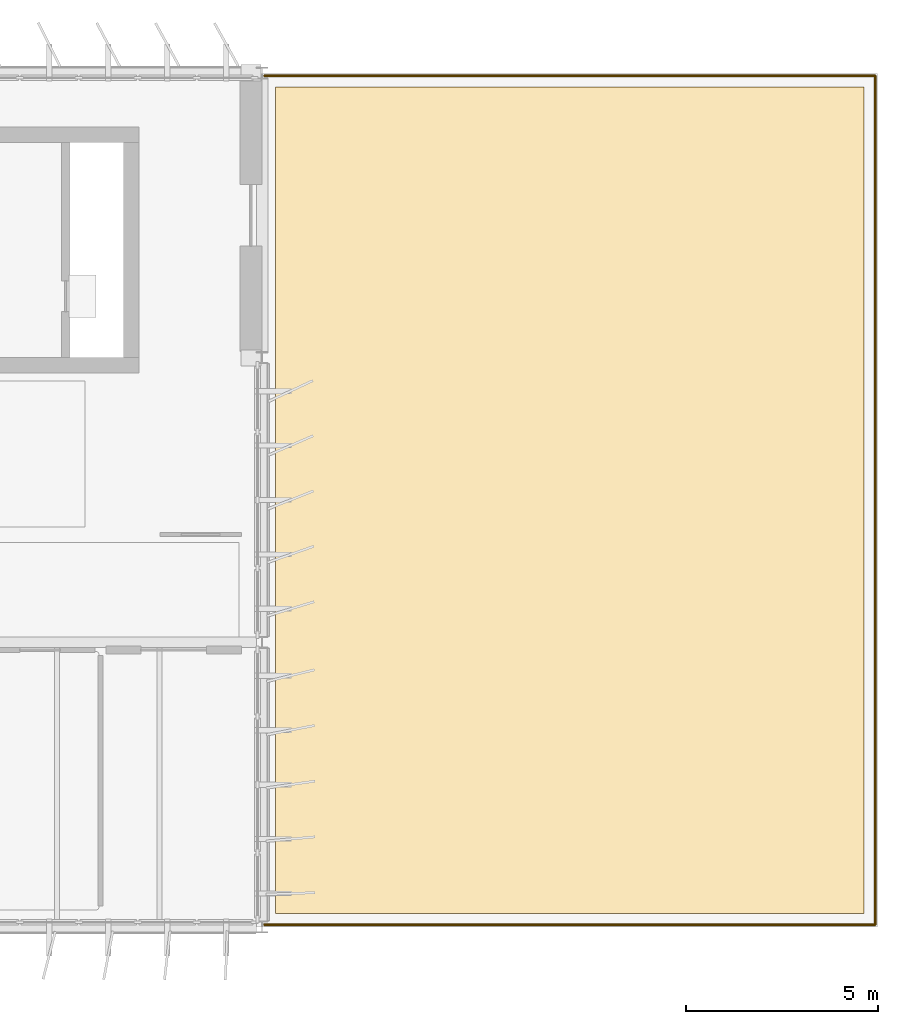
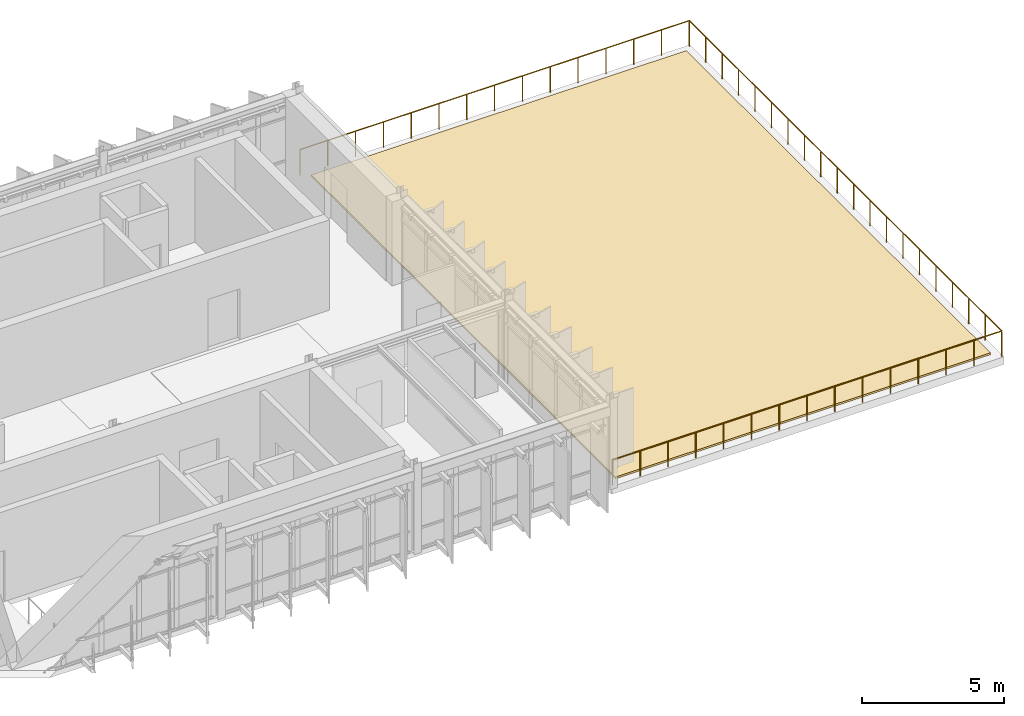
# One storey, part 20 of 20: 3 railings, 1 covering.
"""IFC4 building model written with IfcOpenShell, lengths in metres."""

from ifc_helpers import new_model, si_unit, direction, frame, origin, origin_2d, place, context, subcontext, project, spatial, polyline, circle, outline, extrude, material, layer, layer_set, type_object, element, save


model = new_model("IFC4")

# Units and contexts
model_context = context("Model", 3, precision=1e-05, world=origin(), true_north=direction((0.0, 1.0)))
body_context = subcontext(model_context, "Body", "Model", "MODEL_VIEW")
ifc_project = project(units=[si_unit("LENGTHUNIT", "METRE"), si_unit("AREAUNIT", "SQUARE_METRE"), si_unit("VOLUMEUNIT", "CUBIC_METRE"), si_unit("PLANEANGLEUNIT", "RADIAN"), si_unit("MASSUNIT", "GRAM", prefix="KILO")], contexts=[model_context])

# Site, building, storey
site_placement = place(None, origin())
site = spatial("IfcSite", under=ifc_project, at=site_placement, CompositionType="ELEMENT")
building_placement = place(site_placement, origin())
building = spatial("IfcBuilding", under=site, at=building_placement, Name="Valkorina Park Police Headquarters", CompositionType="ELEMENT")
storey_placement = place(building_placement, frame((0.0, 0.0, 31.10009765625)))
storey = spatial("IfcBuildingStorey", under=building, at=storey_placement, Name="L08", CompositionType="ELEMENT", Elevation=31.10009765625)

# Covering
ifc_material_1 = material(Name="Planted green roof substrate")
ifc_layer = layer(ifc_material_1, 0.080078125)
ifc_layer_set = layer_set([ifc_layer], Name="Planted green roof substrate")
covering_type = type_object("IfcCoveringType", Name="COV-ROOF-GREEN", PredefinedType="ROOFING", material=ifc_layer_set)
covering_placement = place(storey_placement, origin())
element("IfcCovering", 1, at=covering_placement, inside=storey, type_object=covering_type, Name="L08 Executive Park-View Terrace Planted Substrate", PredefinedType="ROOFING", context=body_context, shape_type="SweptSolid", body=[
    extrude(outline(polyline([(72.449951171875, 58.842041015625), (57.14990234375, 58.842041015625), (57.14990234375, 37.35009765625), (72.449951171875, 37.35009765625), (72.449951171875, 58.842041015625)])), origin(), (0.0, 0.0, 1.0), 0.079833984375),
])

# Railings
ifc_material_2 = material(Name="Stainless steel EN 1.4404", Category="steel")
railing_type = type_object("IfcRailingType", Name="RL-GUARD-EXT-1100", PredefinedType="BALUSTRADE", material=ifc_material_2)
railing_1_placement = place(storey_placement, frame((56.860107421875, 37.06005859375, 0.0)))
element("IfcRailing", 2, at=railing_1_placement, inside=storey, type_object=railing_type, Name="TERR-L08-EXEC Perimeter Balustrade Guard 14", PredefinedType="BALUSTRADE", context=body_context, shape_type="SweptSolid", body=[
    extrude(circle(Radius=0.02392578125, at=origin_2d()), frame((0.0, 0.0, 1.09619140625), z_axis=(1.0, 0.0, 0.0), x_axis=(0.0, 1.0, 0.0)), (0.0, 0.0, 1.0), 15.8798828125),
    extrude(circle(Radius=0.02099609375, at=origin_2d()), origin(), (0.0, 0.0, 1.0), 1.072021484375),
    extrude(circle(Radius=0.02099609375, at=origin_2d()), frame((1.13427734375, 0.0, 0.0)), (0.0, 0.0, 1.0), 1.072021484375),
    extrude(circle(Radius=0.02099609375, at=origin_2d()), frame((2.2685546875, 0.0, 0.0)), (0.0, 0.0, 1.0), 1.072021484375),
    extrude(circle(Radius=0.02099609375, at=origin_2d()), frame((3.40283203125, 0.0, 0.0)), (0.0, 0.0, 1.0), 1.072021484375),
    extrude(circle(Radius=0.02099609375, at=origin_2d()), frame((4.537109375, 0.0, 0.0)), (0.0, 0.0, 1.0), 1.072021484375),
    extrude(circle(Radius=0.02099609375, at=origin_2d()), frame((5.67138671875, 0.0, 0.0)), (0.0, 0.0, 1.0), 1.072021484375),
    extrude(circle(Radius=0.02099609375, at=origin_2d()), frame((6.8056640625, 0.0, 0.0)), (0.0, 0.0, 1.0), 1.072021484375),
    extrude(circle(Radius=0.02099609375, at=origin_2d()), frame((7.93994140625, 0.0, 0.0)), (0.0, 0.0, 1.0), 1.072021484375),
    extrude(circle(Radius=0.02099609375, at=origin_2d()), frame((9.07421875, 0.0, 0.0)), (0.0, 0.0, 1.0), 1.072021484375),
    extrude(circle(Radius=0.02099609375, at=origin_2d()), frame((10.20849609375, 0.0, 0.0)), (0.0, 0.0, 1.0), 1.072021484375),
    extrude(circle(Radius=0.02099609375, at=origin_2d()), frame((11.3427734375, 0.0, 0.0)), (0.0, 0.0, 1.0), 1.072021484375),
    extrude(circle(Radius=0.02099609375, at=origin_2d()), frame((12.47705078125, 0.0, 0.0)), (0.0, 0.0, 1.0), 1.072021484375),
    extrude(circle(Radius=0.02099609375, at=origin_2d()), frame((13.611328125, 0.0, 0.0)), (0.0, 0.0, 1.0), 1.072021484375),
    extrude(circle(Radius=0.02099609375, at=origin_2d()), frame((14.74560546875, 0.0, 0.0)), (0.0, 0.0, 1.0), 1.072021484375),
    extrude(circle(Radius=0.02099609375, at=origin_2d()), frame((15.8798828125, 0.0, 0.0)), (0.0, 0.0, 1.0), 1.072021484375),
])
railing_2_placement = place(storey_placement, frame((72.739990234375, 37.06005859375, 0.0)))
element("IfcRailing", 3, at=railing_2_placement, inside=storey, type_object=railing_type, Name="TERR-L08-EXEC Perimeter Balustrade Guard 15", PredefinedType="BALUSTRADE", context=body_context, shape_type="SweptSolid", body=[
    extrude(circle(Radius=0.02392578125, at=origin_2d()), frame((0.0, 0.0, 1.09619140625), z_axis=(0.0, 1.0, 0.0), x_axis=(-1.0, 0.0, 0.0)), (0.0, 0.0, 1.0), 22.072021484375),
    extrude(circle(Radius=0.02099609375, at=origin_2d()), origin(), (0.0, 0.0, 1.0), 1.072021484375),
    extrude(circle(Radius=0.02099609375, at=origin_2d()), frame((0.0, 1.16162109375, 0.0)), (0.0, 0.0, 1.0), 1.072021484375),
    extrude(circle(Radius=0.02099609375, at=origin_2d()), frame((0.0, 2.323486328125, 0.0)), (0.0, 0.0, 1.0), 1.072021484375),
    extrude(circle(Radius=0.02099609375, at=origin_2d()), frame((0.0, 3.485107421875, 0.0)), (0.0, 0.0, 1.0), 1.072021484375),
    extrude(circle(Radius=0.02099609375, at=origin_2d()), frame((0.0, 4.646728515625, 0.0)), (0.0, 0.0, 1.0), 1.072021484375),
    extrude(circle(Radius=0.02099609375, at=origin_2d()), frame((0.0, 5.808349609375, 0.0)), (0.0, 0.0, 1.0), 1.072021484375),
    extrude(circle(Radius=0.02099609375, at=origin_2d()), frame((0.0, 6.97021484375, 0.0)), (0.0, 0.0, 1.0), 1.072021484375),
    extrude(circle(Radius=0.02099609375, at=origin_2d()), frame((0.0, 8.1318359375, 0.0)), (0.0, 0.0, 1.0), 1.072021484375),
    extrude(circle(Radius=0.02099609375, at=origin_2d()), frame((0.0, 9.29345703125, 0.0)), (0.0, 0.0, 1.0), 1.072021484375),
    extrude(circle(Radius=0.02099609375, at=origin_2d()), frame((0.0, 10.455078125, 0.0)), (0.0, 0.0, 1.0), 1.072021484375),
    extrude(circle(Radius=0.02099609375, at=origin_2d()), frame((0.0, 11.616943359375, 0.0)), (0.0, 0.0, 1.0), 1.072021484375),
    extrude(circle(Radius=0.02099609375, at=origin_2d()), frame((0.0, 12.778564453125, 0.0)), (0.0, 0.0, 1.0), 1.072021484375),
    extrude(circle(Radius=0.02099609375, at=origin_2d()), frame((0.0, 13.940185546875, 0.0)), (0.0, 0.0, 1.0), 1.072021484375),
    extrude(circle(Radius=0.02099609375, at=origin_2d()), frame((0.0, 15.101806640625, 0.0)), (0.0, 0.0, 1.0), 1.072021484375),
    extrude(circle(Radius=0.02099609375, at=origin_2d()), frame((0.0, 16.263671875, 0.0)), (0.0, 0.0, 1.0), 1.072021484375),
    extrude(circle(Radius=0.02099609375, at=origin_2d()), frame((0.0, 17.42529296875, 0.0)), (0.0, 0.0, 1.0), 1.072021484375),
    extrude(circle(Radius=0.02099609375, at=origin_2d()), frame((0.0, 18.5869140625, 0.0)), (0.0, 0.0, 1.0), 1.072021484375),
    extrude(circle(Radius=0.02099609375, at=origin_2d()), frame((0.0, 19.74853515625, 0.0)), (0.0, 0.0, 1.0), 1.072021484375),
    extrude(circle(Radius=0.02099609375, at=origin_2d()), frame((0.0, 20.910400390625, 0.0)), (0.0, 0.0, 1.0), 1.072021484375),
    extrude(circle(Radius=0.02099609375, at=origin_2d()), frame((0.0, 22.072021484375, 0.0)), (0.0, 0.0, 1.0), 1.072021484375),
])
railing_3_placement = place(storey_placement, frame((72.739990234375, 59.132080078125, 0.0)))
element("IfcRailing", 4, at=railing_3_placement, inside=storey, type_object=railing_type, Name="TERR-L08-EXEC Perimeter Balustrade Guard 16", PredefinedType="BALUSTRADE", context=body_context, shape_type="SweptSolid", body=[
    extrude(circle(Radius=0.02392578125, at=origin_2d()), frame((0.0, 0.0, 1.09619140625), z_axis=(-1.0, 0.0, 0.0), x_axis=(0.0, -1.0, 0.0)), (0.0, 0.0, 1.0), 15.8798828125),
    extrude(circle(Radius=0.02099609375, at=origin_2d()), origin(), (0.0, 0.0, 1.0), 1.072021484375),
    extrude(circle(Radius=0.02099609375, at=origin_2d()), frame((-1.13427734375, 0.0, 0.0)), (0.0, 0.0, 1.0), 1.072021484375),
    extrude(circle(Radius=0.02099609375, at=origin_2d()), frame((-2.2685546875, 0.0, 0.0)), (0.0, 0.0, 1.0), 1.072021484375),
    extrude(circle(Radius=0.02099609375, at=origin_2d()), frame((-3.40283203125, 0.0, 0.0)), (0.0, 0.0, 1.0), 1.072021484375),
    extrude(circle(Radius=0.02099609375, at=origin_2d()), frame((-4.537109375, 0.0, 0.0)), (0.0, 0.0, 1.0), 1.072021484375),
    extrude(circle(Radius=0.02099609375, at=origin_2d()), frame((-5.67138671875, 0.0, 0.0)), (0.0, 0.0, 1.0), 1.072021484375),
    extrude(circle(Radius=0.02099609375, at=origin_2d()), frame((-6.8056640625, 0.0, 0.0)), (0.0, 0.0, 1.0), 1.072021484375),
    extrude(circle(Radius=0.02099609375, at=origin_2d()), frame((-7.93994140625, 0.0, 0.0)), (0.0, 0.0, 1.0), 1.072021484375),
    extrude(circle(Radius=0.02099609375, at=origin_2d()), frame((-9.07421875, 0.0, 0.0)), (0.0, 0.0, 1.0), 1.072021484375),
    extrude(circle(Radius=0.02099609375, at=origin_2d()), frame((-10.20849609375, 0.0, 0.0)), (0.0, 0.0, 1.0), 1.072021484375),
    extrude(circle(Radius=0.02099609375, at=origin_2d()), frame((-11.3427734375, 0.0, 0.0)), (0.0, 0.0, 1.0), 1.072021484375),
    extrude(circle(Radius=0.02099609375, at=origin_2d()), frame((-12.47705078125, 0.0, 0.0)), (0.0, 0.0, 1.0), 1.072021484375),
    extrude(circle(Radius=0.02099609375, at=origin_2d()), frame((-13.611328125, 0.0, 0.0)), (0.0, 0.0, 1.0), 1.072021484375),
    extrude(circle(Radius=0.02099609375, at=origin_2d()), frame((-14.74560546875, 0.0, 0.0)), (0.0, 0.0, 1.0), 1.072021484375),
    extrude(circle(Radius=0.02099609375, at=origin_2d()), frame((-15.8798828125, 0.0, 0.0)), (0.0, 0.0, 1.0), 1.072021484375),
])

save(model, "model.ifc")
